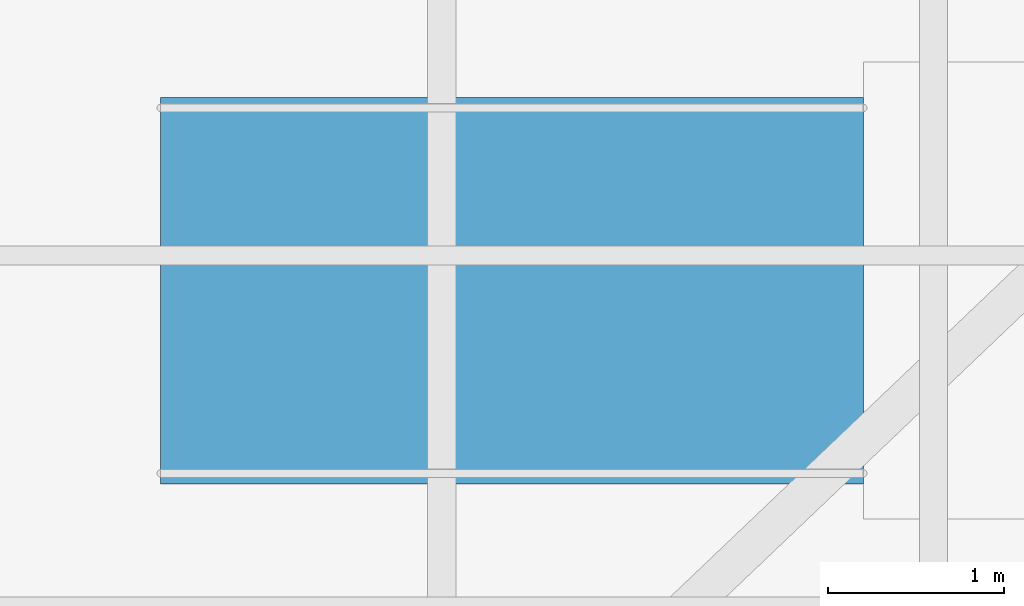
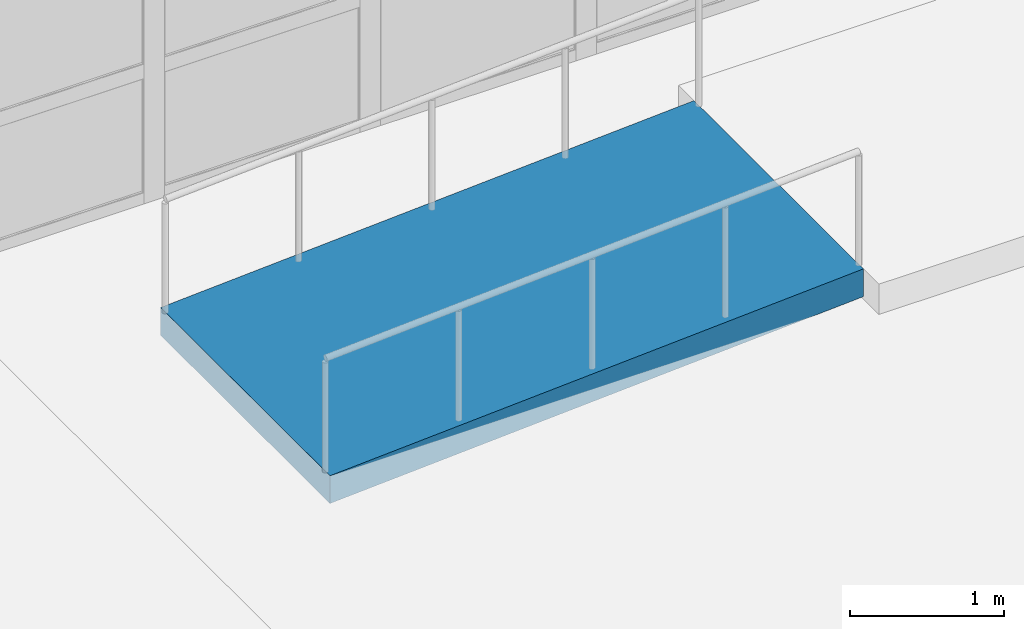
# One storey, part 157 of 177: 1 ramp flight, 1 element without a shape of its own.
"""IFC4 building model written with IfcOpenShell, lengths in metres."""

from ifc_helpers import new_model, si_unit, direction, frame, origin, place, context, subcontext, project, spatial, polyline, outline, extrude, material, layer, layer_set, type_object, element, aggregate, save


model = new_model("IFC4")

# Units and contexts
model_context = context("Model", 3, precision=1e-05, world=origin(), true_north=direction((0.0, 1.0)))
body_context = subcontext(model_context, "Body", "Model", "MODEL_VIEW")
ifc_project = project(units=[si_unit("LENGTHUNIT", "METRE"), si_unit("AREAUNIT", "SQUARE_METRE"), si_unit("VOLUMEUNIT", "CUBIC_METRE"), si_unit("PLANEANGLEUNIT", "RADIAN"), si_unit("MASSUNIT", "GRAM", prefix="KILO"), si_unit("THERMODYNAMICTEMPERATUREUNIT", "KELVIN"), si_unit("POWERUNIT", "WATT")], contexts=[model_context])

# Site, building, storey
site_placement = place(None, origin())
site = spatial("IfcSite", under=ifc_project, at=site_placement, CompositionType="ELEMENT")
building_placement = place(site_placement, origin())
building = spatial("IfcBuilding", under=site, at=building_placement, Name="Mavoryth Pier Ferry Terminal", CompositionType="ELEMENT")
storey_placement = place(building_placement, frame((0.0, 0.0, 5.43994140625)))
storey = spatial("IfcBuildingStorey", under=building, at=storey_placement, Name="L01", CompositionType="ELEMENT", Elevation=5.43994140625)

# Ramp, ramp flight
ifc_material = material(Name="Concrete C35/45", Category="concrete")
ramp_type = type_object("IfcRampType", Name="Ramp-Gangway-Access", PredefinedType="TWO_STRAIGHT_RUN_RAMP", material=ifc_material)
ramp_placement = place(storey_placement, origin())
ramp = element("IfcRamp", 1, at=ramp_placement, inside=storey, type_object=ramp_type, material=ifc_material, Name="Ramp BR02", PredefinedType="TWO_STRAIGHT_RUN_RAMP")
ifc_layer = layer(ifc_material, 0.219970703125, Name="Concrete C35/45", Category="concrete")
ifc_layer_set = layer_set([ifc_layer], Name="Concrete C35/45 - RampFlight-Gangway-220")
ramp_flight_type = type_object("IfcRampFlightType", Name="RampFlight-Gangway-220", PredefinedType="STRAIGHT", material=ifc_layer_set)
ramp_flight_placement = place(storey_placement, frame((102.0, 111.800048828125, 0.0), z_axis=(0.0, 0.0, 1.0), x_axis=(1.0, 0.0, 0.0)))
ramp_flight = element("IfcRampFlight", 2, at=ramp_flight_placement, type_object=ramp_flight_type, material=ifc_material, Name="Ramp BR02 Flight 1", PredefinedType="STRAIGHT", context=body_context, shape_type="SweptSolid", body=[
    extrude(outline(polyline([(0.0, 0.0), (4.0, 0.239990234375), (4.0, 0.02001953125), (0.0, -0.219970703125), (0.0, 0.0)])), frame((0.0, 1.10009765625, 0.0), z_axis=(0.0, -1.0, 0.0), x_axis=(1.0, 0.0, 0.0)), (0.0, 0.0, 1.0), 2.199951171875),
])
aggregate(ramp, [ramp_flight])

save(model, "model.ifc")
